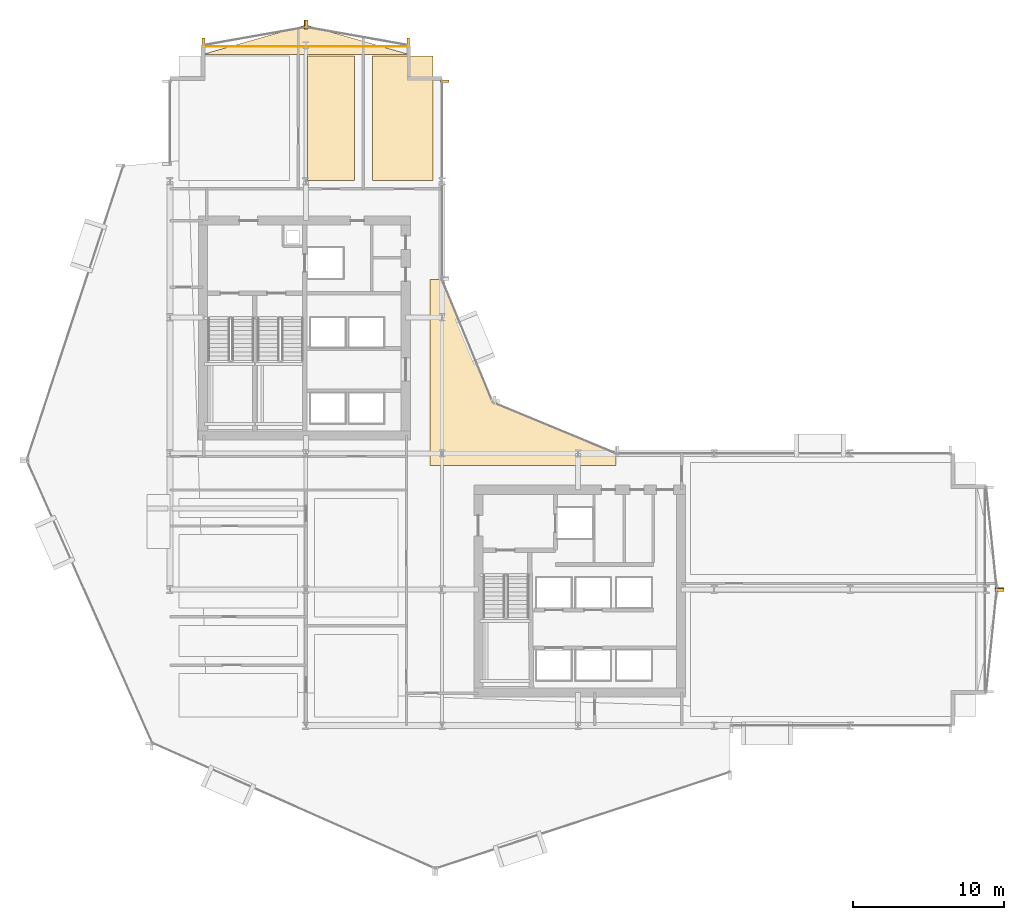
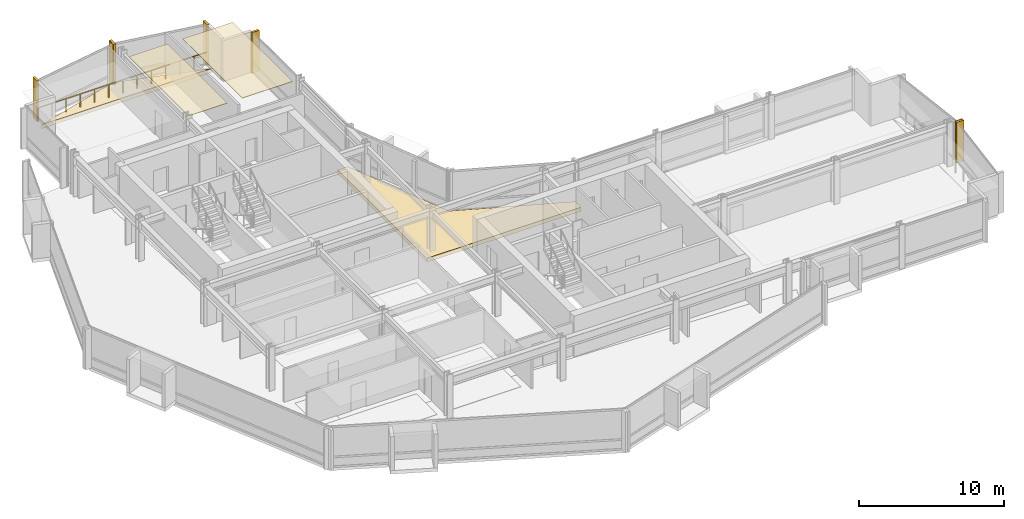
# One storey, part 34 of 34: 11 coverings, 1 railing.
"""IFC4 building model written with IfcOpenShell, lengths in metres."""

from ifc_helpers import new_model, si_unit, direction, frame, origin, origin_2d, place, context, subcontext, project, spatial, polyline, rectangle, circle, outline, extrude, material, layer, layer_set, type_object, element, save


model = new_model("IFC4")

# Units and contexts
model_context = context("Model", 3, precision=1e-05, world=origin(), true_north=direction((0.0, 1.0)))
body_context = subcontext(model_context, "Body", "Model", "MODEL_VIEW")
ifc_project = project(units=[si_unit("LENGTHUNIT", "METRE"), si_unit("AREAUNIT", "SQUARE_METRE"), si_unit("VOLUMEUNIT", "CUBIC_METRE"), si_unit("PLANEANGLEUNIT", "RADIAN"), si_unit("MASSUNIT", "GRAM", prefix="KILO")], contexts=[model_context])

# Site, building, storey
site_placement = place(None, origin())
site = spatial("IfcSite", under=ifc_project, at=site_placement, CompositionType="ELEMENT")
building_placement = place(site_placement, origin())
building = spatial("IfcBuilding", under=site, at=building_placement, Name="Solvaryn Broadcast Tower", CompositionType="ELEMENT")
storey_placement = place(building_placement, frame((0.0, 0.0, 61.89990234375)))
storey = spatial("IfcBuildingStorey", under=building, at=storey_placement, Name="L14", CompositionType="ELEMENT", Elevation=61.89990234375)

# Coverings
ifc_material_1 = material(Name="Micro-Perforated Acoustic Gypsum Ceiling", Category="concrete")
ifc_layer_1 = layer(ifc_material_1, 0.0400390625)
ifc_layer_set_1 = layer_set([ifc_layer_1], Name="CV-CEIL-ACOUSTIC")
covering_type_1 = type_object("IfcCoveringType", Name="CV-CEIL-ACOUSTIC", PredefinedType="CEILING", material=ifc_layer_set_1)
covering_1_placement = place(storey_placement, frame((0.0, 0.0, 3.380126953125)))
element("IfcCovering", 1, at=covering_1_placement, inside=storey, type_object=covering_type_1, Name="L14 Room Acoustic Ceiling 8", PredefinedType="CEILING", context=body_context, shape_type="SweptSolid", body=[
    extrude(outline(polyline([(18.10009765625, 45.070068359375), (21.199951171875, 45.070068359375), (21.199951171875, 53.300048828125), (18.10009765625, 53.300048828125), (18.10009765625, 45.070068359375)])), origin(), (0.0, 0.0, 1.0), 0.0400390625),
])
covering_2_placement = place(storey_placement, frame((0.0, 0.0, 3.380126953125)))
element("IfcCovering", 2, at=covering_2_placement, inside=storey, type_object=covering_type_1, Name="L14 Room Acoustic Ceiling 9", PredefinedType="CEILING", context=body_context, shape_type="SweptSolid", body=[
    extrude(outline(polyline([(22.39990234375, 45.070068359375), (26.39990234375, 45.070068359375), (26.39990234375, 53.300048828125), (22.39990234375, 53.300048828125), (22.39990234375, 45.070068359375)])), origin(), (0.0, 0.0, 1.0), 0.0400390625),
])
ifc_material_2 = material(Name="Extruded Architectural Terracotta Fin", Category="masonry")
ifc_layer_2 = layer(ifc_material_2, 0.179931640625)
ifc_layer_set_2 = layer_set([ifc_layer_2], Name="CV-TC-FIN")
covering_type_2 = type_object("IfcCoveringType", Name="CV-TC-FIN", PredefinedType="USERDEFINED", material=ifc_layer_set_2)
covering_3_placement = place(storey_placement, frame((27.1875, 51.6201171875, 0.000244140625), z_axis=(0.0, 0.0, 1.0), x_axis=(1.0, 0.0, 0.0)))
element("IfcCovering", 3, at=covering_3_placement, inside=storey, type_object=covering_type_2, Name="L14 Terracotta Vertical Fin FIN-L14-IV-M00", ObjectType="FIN", PredefinedType="USERDEFINED", context=body_context, shape_type="SweptSolid", body=[
    extrude(rectangle(XDim=0.580078125, YDim=0.179931640625, at=origin_2d()), origin(), (0.0, 0.0, 1.0), 3.419921875),
])
for number, where, z_axis, x_axis, name in (
    (4, (24.7705078125, 54.192626953125, 0.000244140625), (0.0, 0.0, 1.0), (1.0, 0.0, 0.0), "L14 Terracotta Vertical Fin FIN-L14-NT1-M00"),
    (5, (18.029541015625, 55.38232421875, 0.000244140625), (0.0, 0.0, 1.0), (1.0, 0.0, 0.0), "L14 Terracotta Vertical Fin FIN-L14-NT1-M01"),
    (6, (17.970458984375, 55.38232421875, 0.000244140625), (0.0, 0.0, 1.0), (1.0, 0.0, 0.0), "L14 Terracotta Vertical Fin FIN-L14-NT2-M00"),
    (7, (11.2294921875, 54.192626953125, 0.000244140625), (0.0, 0.0, 1.0), (1.0, 0.0, 0.0), "L14 Terracotta Vertical Fin FIN-L14-NT2-M01"),
):
    element("IfcCovering", number, at=place(storey_placement, frame(where, z_axis=z_axis, x_axis=x_axis)), inside=storey, type_object=covering_type_2, Name=name, ObjectType="FIN", PredefinedType="USERDEFINED", context=body_context, shape_type="SweptSolid", body=[
        extrude(rectangle(XDim=0.179931640625, YDim=0.580078125, at=origin_2d()), origin(), (0.0, 0.0, 1.0), 3.419921875),
    ])
for number, where, z_axis, x_axis, name in (
    (8, (63.884521484375, 18.02978515625, 0.000244140625), (0.0, 0.0, 1.0), (1.0, 0.0, 0.0), "L14 Terracotta Vertical Fin FIN-L14-ET1-M01"),
    (9, (63.884521484375, 17.97021484375, 0.000244140625), (0.0, 0.0, 1.0), (1.0, 0.0, 0.0), "L14 Terracotta Vertical Fin FIN-L14-ET2-M00"),
):
    element("IfcCovering", number, at=place(storey_placement, frame(where, z_axis=z_axis, x_axis=x_axis)), inside=storey, type_object=covering_type_2, Name=name, ObjectType="FIN", PredefinedType="USERDEFINED", context=body_context, shape_type="SweptSolid", body=[
        extrude(rectangle(XDim=0.580078125, YDim=0.179931640625, at=origin_2d()), origin(), (0.0, 0.0, 1.0), 3.419921875),
    ])
ifc_material_3 = material(Name="Sculpted Architectural Terracotta Wave Fascia", Category="masonry")
ifc_layer_3 = layer(ifc_material_3, 0.340087890625)
ifc_layer_set_3 = layer_set([ifc_layer_3], Name="CV-WAVE-TRAY")
covering_type_3 = type_object("IfcCoveringType", Name="CV-WAVE-TRAY", PredefinedType="CLADDING", material=ifc_layer_set_3)
covering_4_placement = place(storey_placement, frame((0.0, 0.0, -0.2998046875)))
element("IfcCovering", 10, at=covering_4_placement, inside=storey, type_object=covering_type_3, Name="L14 Concave Canyon Floor Apron", PredefinedType="CLADDING", context=body_context, shape_type="SweptSolid", body=[
    extrude(outline(polyline([(26.199951171875, 26.199951171875), (38.5, 26.199951171875), (38.5, 27.0), (30.367919921875, 30.367919921875), (27.0, 38.5), (26.199951171875, 38.5), (26.199951171875, 26.199951171875)])), origin(), (0.0, 0.0, 1.0), 0.329833984375),
])
covering_5_placement = place(storey_placement, frame((0.0, 0.0, -0.2998046875)))
element("IfcCovering", 11, at=covering_5_placement, inside=storey, type_object=covering_type_3, Name="L14 North Curved Wing Deck", PredefinedType="CLADDING", context=body_context, shape_type="SweptSolid", body=[
    extrude(outline(polyline([(11.199951171875, 53.39990234375), (24.800048828125, 53.39990234375), (18.0, 55.35009765625), (11.199951171875, 53.39990234375)])), origin(), (0.0, 0.0, 1.0), 0.329833984375),
])

# Railing
ifc_material_4 = material(Name="Stainless Steel and Laminated Glass Guard", Category="steel")
railing_type = type_object("IfcRailingType", Name="RL-TER-1150", PredefinedType="BALUSTRADE", material=ifc_material_4)
railing_placement = place(storey_placement, frame((11.199951171875, 53.919921875, 0.0)))
element("IfcRailing", 12, at=railing_placement, inside=storey, type_object=railing_type, Name="L14 North Wing Spandrel Edge Guard", PredefinedType="BALUSTRADE", context=body_context, shape_type="SweptSolid", body=[
    extrude(circle(Radius=0.02392578125, at=origin_2d()), frame((0.0, 0.0, 1.1259765625), z_axis=(1.0, 0.0, 0.0), x_axis=(0.0, 1.0, 0.0)), (0.0, 0.0, 1.0), 13.60009765625),
    extrude(circle(Radius=0.02099609375, at=origin_2d()), origin(), (0.0, 0.0, 1.0), 1.101806640625),
    extrude(circle(Radius=0.02099609375, at=origin_2d()), frame((1.13330078125, 0.0, 0.0)), (0.0, 0.0, 1.0), 1.101806640625),
    extrude(circle(Radius=0.02099609375, at=origin_2d()), frame((2.2666015625, 0.0, 0.0)), (0.0, 0.0, 1.0), 1.101806640625),
    extrude(circle(Radius=0.02099609375, at=origin_2d()), frame((3.39990234375, 0.0, 0.0)), (0.0, 0.0, 1.0), 1.101806640625),
    extrude(circle(Radius=0.02099609375, at=origin_2d()), frame((4.533447265625, 0.0, 0.0)), (0.0, 0.0, 1.0), 1.101806640625),
    extrude(circle(Radius=0.02099609375, at=origin_2d()), frame((5.666748046875, 0.0, 0.0)), (0.0, 0.0, 1.0), 1.101806640625),
    extrude(circle(Radius=0.02099609375, at=origin_2d()), frame((6.800048828125, 0.0, 0.0)), (0.0, 0.0, 1.0), 1.101806640625),
    extrude(circle(Radius=0.02099609375, at=origin_2d()), frame((7.933349609375, 0.0, 0.0)), (0.0, 0.0, 1.0), 1.101806640625),
    extrude(circle(Radius=0.02099609375, at=origin_2d()), frame((9.066650390625, 0.0, 0.0)), (0.0, 0.0, 1.0), 1.101806640625),
    extrude(circle(Radius=0.02099609375, at=origin_2d()), frame((10.2001953125, 0.0, 0.0)), (0.0, 0.0, 1.0), 1.101806640625),
    extrude(circle(Radius=0.02099609375, at=origin_2d()), frame((11.33349609375, 0.0, 0.0)), (0.0, 0.0, 1.0), 1.101806640625),
    extrude(circle(Radius=0.02099609375, at=origin_2d()), frame((12.466796875, 0.0, 0.0)), (0.0, 0.0, 1.0), 1.101806640625),
    extrude(circle(Radius=0.02099609375, at=origin_2d()), frame((13.60009765625, 0.0, 0.0)), (0.0, 0.0, 1.0), 1.101806640625),
])

save(model, "model.ifc")
